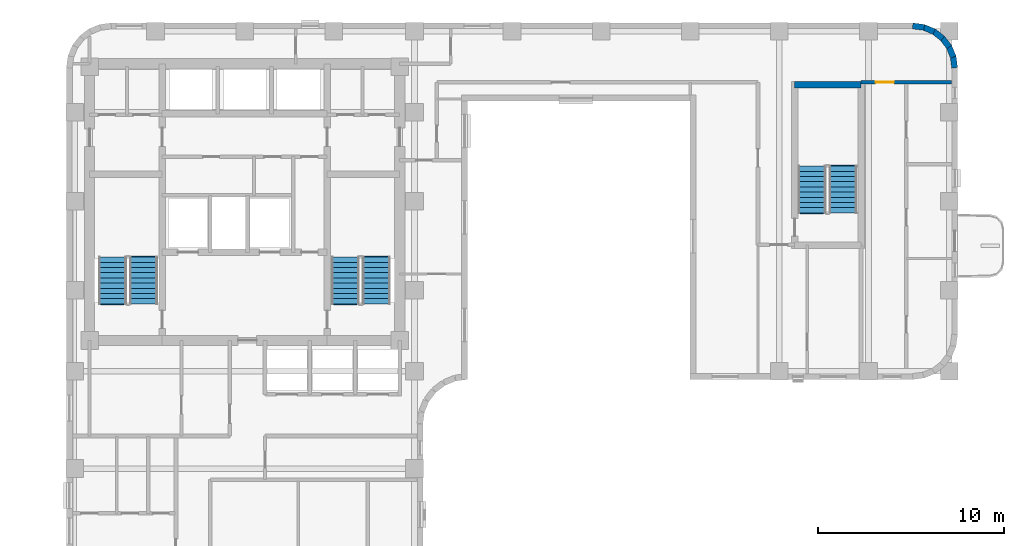
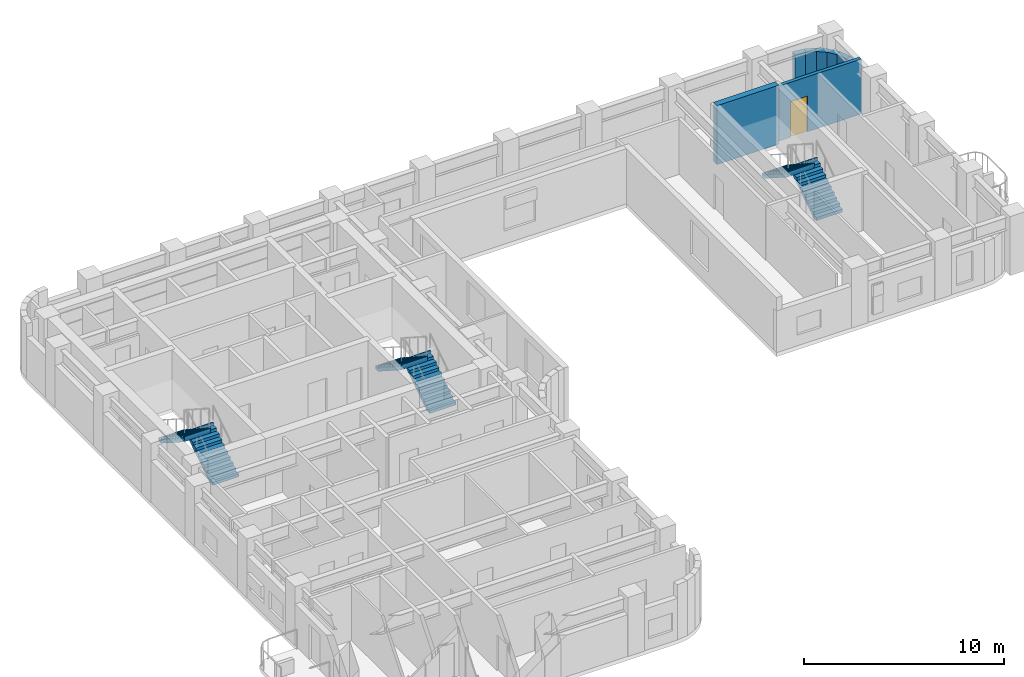
# One storey, part 7 of 10: 8 walls, 6 stair flights, 1 door, 1 opening, 3 elements without a shape of their own.
"""IFC4 building model written with IfcOpenShell, lengths in metres."""

from ifc_helpers import new_model, si_unit, direction, frame, frame_2d, origin, place, context, subcontext, project, spatial, polyline, rectangle, outline, extrude, material, layer, layer_set, type_object, element, fill, aggregate, save


model = new_model("IFC4")

# Units and contexts
model_context = context("Model", 3, precision=1e-05, world=origin(), true_north=direction((0.0, 1.0)))
body_context = subcontext(model_context, "Body", "Model", "MODEL_VIEW")
ifc_project = project(units=[si_unit("LENGTHUNIT", "METRE"), si_unit("AREAUNIT", "SQUARE_METRE"), si_unit("VOLUMEUNIT", "CUBIC_METRE"), si_unit("PLANEANGLEUNIT", "RADIAN"), si_unit("MASSUNIT", "GRAM", prefix="KILO")], contexts=[model_context])

# Site, building, storey
site_placement = place(None, origin())
site = spatial("IfcSite", under=ifc_project, at=site_placement, CompositionType="ELEMENT")
building_placement = place(site_placement, origin())
building = spatial("IfcBuilding", under=site, at=building_placement, Name="Orvandelia Arch Residences", CompositionType="ELEMENT")
storey_placement = place(building_placement, frame((0.0, 0.0, 179.199951171875)))
storey = spatial("IfcBuildingStorey", under=building, at=storey_placement, Name="L47", CompositionType="ELEMENT", Elevation=179.199951171875)

# Wall
ifc_material_1 = material(Name="Concrete C50/60", Category="concrete")
ifc_layer_1 = layer(ifc_material_1, 0.35009765625, Name="Concrete C50/60", Category="concrete")
ifc_layer_set_1 = layer_set([ifc_layer_1], Name="Concrete C50/60")
wall_type_1 = type_object("IfcWallType", Name="WL-CORE-350", PredefinedType="SHEAR", material=ifc_layer_set_1)
wall_1_placement = place(storey_placement, frame((44.02001953125, 44.659912109375, 0.0), z_axis=(0.0, 0.0, 1.0), x_axis=(1.0, 0.0, 0.0)))
element("IfcWall", 1, at=wall_1_placement, inside=storey, type_object=wall_type_1, Name="East Stair Core Shear Wall L47-N", PredefinedType="SHEAR", context=body_context, shape_type="SweptSolid", body=[
    extrude(rectangle(XDim=3.580078125, YDim=0.35009765625, at=frame_2d((1.7900390625, 0.0))), origin(), (0.0, 0.0, 1.0), 3.60009765625),
])

# Wall, opening, door
ifc_material_2 = material(Name="Fire-Rated Corridor Partition")
ifc_layer_2 = layer(ifc_material_2, 0.199951171875, Name="Fire-Rated Corridor Partition")
ifc_layer_set_2 = layer_set([ifc_layer_2], Name="Fire-Rated Corridor Partition")
wall_type_2 = type_object("IfcWallType", Name="WL-CORR-200", PredefinedType="PARTITIONING", material=ifc_layer_set_2)
wall_2_placement = place(storey_placement, frame((47.60009765625, 44.800048828125, 0.0), z_axis=(0.0, 0.0, 1.0), x_axis=(1.0, 0.0, 0.0)))
wall_2 = element("IfcWall", 2, at=wall_2_placement, inside=storey, type_object=wall_type_2, Name="Interior Partition Wall WL-L47-ENP-S2", PredefinedType="PARTITIONING", context=body_context, shape_type="SweptSolid", body=[
    extrude(rectangle(XDim=4.8798828125, YDim=0.199951171875, at=frame_2d((2.43994140625, 0.0))), origin(), (0.0, 0.0, 1.0), 3.360107421875),
])
opening_placement = place(wall_2_placement, frame((0.79150390625, 0.0, 0.0)))
opening = element("IfcOpeningElement", 3, at=opening_placement, cuts=wall_2, Name="Opening D1", PredefinedType="OPENING", context=body_context, shape_type="SweptSolid", body=[
    extrude(rectangle(XDim=0.97998046875, YDim=2.179931640625, at=frame_2d((0.489990234375, 1.08984375))), frame((0.0, 0.10986328125, 0.0), z_axis=(0.0, -1.0, 0.0), x_axis=(1.0, 0.0, 0.0)), (0.0, 0.0, 1.0), 0.219970703125),
])
ifc_material_3 = material(Name="Solid-Core Timber Acoustic Fire Door", Category="wood")
door_type = type_object("IfcDoorType", Name="DR-ENT-980", OperationType="NOTDEFINED", PredefinedType="DOOR", material=ifc_material_3)
door_placement = place(opening_placement, origin())
door = element("IfcDoor", 4, at=door_placement, inside=storey, type_object=door_type, Name="Unit L47-05 Entrance Door", OperationType="SINGLE_SWING_LEFT", OverallHeight=2.179931640625, OverallWidth=0.97998046875, PredefinedType="DOOR", context=body_context, shape_type="SweptSolid", body=[
    extrude(rectangle(XDim=0.97998046875, YDim=2.179931640625, at=frame_2d((0.489990234375, 1.08984375))), frame((0.0, 0.02490234375, 0.0), z_axis=(0.0, -1.0, 0.0), x_axis=(1.0, 0.0, 0.0)), (0.0, 0.0, 1.0), 0.050048828125),
])
fill(opening, door)

# Walls
ifc_material_4 = material(Name="Precast concrete C40/50", Category="concrete")
ifc_layer_3 = layer(ifc_material_4, 0.320068359375, Name="Precast concrete C40/50", Category="concrete")
ifc_layer_set_3 = layer_set([ifc_layer_3], Name="Precast concrete C40/50")
wall_type_3 = type_object("IfcWallType", Name="WL-EXT-STONE-320", PredefinedType="STANDARD", material=ifc_layer_set_3)
for number, where, z_axis, x_axis, name in (
    (5, (50.379150390625, 47.84130859375, 0.0), (0.0, 0.0, 1.0), (0.9914410257, -0.130555323746, 0.0), "Coral-Limestone Precast Facade Wall L47-008"),
    (6, (50.9599609375, 47.7705078125, 0.0), (0.0, 0.0, 1.0), (0.92389335771, -0.382650053678, 0.0), "Coral-Limestone Precast Facade Wall L47-009"),
    (7, (51.502685546875, 47.551513671875, 0.0), (0.0, 0.0, 1.0), (0.793405610854, -0.608693302629, 0.0), "Coral-Limestone Precast Facade Wall L47-010"),
    (8, (51.97021484375, 47.19970703125, 0.0), (0.0, 0.0, 1.0), (0.608693302629, -0.793405610854, 0.0), "Coral-Limestone Precast Facade Wall L47-011"),
    (9, (52.330810546875, 46.73876953125, 0.0), (0.0, 0.0, 1.0), (0.382317370307, -0.924031075431, 0.0), "Coral-Limestone Precast Facade Wall L47-012"),
    (10, (52.5595703125, 46.2001953125, 0.0), (0.0, 0.0, 1.0), (0.130555323746, -0.9914410257, 0.0), "Coral-Limestone Precast Facade Wall L47-013"),
):
    element("IfcWall", number, at=place(storey_placement, frame(where, z_axis=z_axis, x_axis=x_axis)), inside=storey, type_object=wall_type_3, Name=name, PredefinedType="STANDARD", context=body_context, shape_type="SweptSolid", body=[
        extrude(rectangle(XDim=0.62646484375, YDim=0.320068359375, at=frame_2d((0.313232421875, 0.0))), origin(), (0.0, 0.0, 1.0), 2.5400390625),
    ])

# Stair, stair flights
ifc_material_5 = material(Name="Concrete C40/50", Category="concrete")
stair_type = type_object("IfcStairType", Name="STAIR-RC-DOGLEG", PredefinedType="HALF_TURN_STAIR", material=ifc_material_5)
stair_1_placement = place(storey_placement, origin())
stair_1 = element("IfcStair", 11, at=stair_1_placement, inside=storey, type_object=stair_type, Name="L47 Protected Exit Stair ST-1", PredefinedType="HALF_TURN_STAIR")
stair_flight_type = type_object("IfcStairFlightType", Name="STFLT-RC-1520", PredefinedType="STRAIGHT", material=ifc_material_5)
stair_flight_1_placement = place(storey_placement, frame((8.9599609375, 32.8701171875, 0.0), z_axis=(0.0, 0.0, 1.0), x_axis=(0.0, 1.0, 0.0)))
stair_flight_1 = element("IfcStairFlight", 12, at=stair_flight_1_placement, type_object=stair_flight_type, Name="ST-1 flight 1", NumberOfRisers=10, NumberOfTreads=9, PredefinedType="STRAIGHT", RiserHeight=0.18, TreadLength=0.28, context=body_context, shape_type="SweptSolid", body=[
    extrude(outline(polyline([(0.0, 0.0), (0.0, 0.179931640625), (0.280029296875, 0.179931640625), (0.280029296875, 0.360107421875), (0.56005859375, 0.360107421875), (0.56005859375, 0.5400390625), (0.840087890625, 0.5400390625), (0.840087890625, 0.719970703125), (1.1201171875, 0.719970703125), (1.1201171875, 0.89990234375), (1.39990234375, 0.89990234375), (1.39990234375, 1.080078125), (1.679931640625, 1.080078125), (1.679931640625, 1.260009765625), (1.9599609375, 1.260009765625), (1.9599609375, 1.43994140625), (2.239990234375, 1.43994140625), (2.239990234375, 1.6201171875), (2.52001953125, 1.6201171875), (2.52001953125, 1.800048828125), (2.580078125, 1.800048828125), (2.580078125, 1.6201171875), (2.52001953125, 1.44189453125), (0.277099609375, 0.0), (0.0, 0.0)])), frame((0.0, 0.760009765625, 0.0), z_axis=(0.0, -1.0, 0.0), x_axis=(1.0, 0.0, 0.0)), (0.0, 0.0, 1.0), 1.52001953125),
])
stair_flight_2_placement = place(storey_placement, frame((7.2900390625, 35.389892578125, 1.800048828125), z_axis=(0.0, 0.0, 1.0), x_axis=(0.0, -1.0, 0.0)))
stair_flight_2 = element("IfcStairFlight", 13, at=stair_flight_2_placement, type_object=stair_flight_type, Name="ST-1 flight 2", NumberOfRisers=10, NumberOfTreads=9, PredefinedType="STRAIGHT", RiserHeight=0.18, TreadLength=0.28, context=body_context, shape_type="SweptSolid", body=[
    extrude(outline(polyline([(0.0, 0.0), (0.0, 0.179931640625), (0.280029296875, 0.179931640625), (0.280029296875, 0.360107421875), (0.56005859375, 0.360107421875), (0.56005859375, 0.5400390625), (0.840087890625, 0.5400390625), (0.840087890625, 0.719970703125), (1.1201171875, 0.719970703125), (1.1201171875, 0.89990234375), (1.39990234375, 0.89990234375), (1.39990234375, 1.080078125), (1.679931640625, 1.080078125), (1.679931640625, 1.260009765625), (1.9599609375, 1.260009765625), (1.9599609375, 1.43994140625), (2.239990234375, 1.43994140625), (2.239990234375, 1.6201171875), (2.52001953125, 1.6201171875), (2.52001953125, 1.800048828125), (2.580078125, 1.800048828125), (2.580078125, 1.6201171875), (2.52001953125, 1.44189453125), (0.277099609375, 0.0), (0.0, 0.0)])), frame((0.0, 0.760009765625, 0.0), z_axis=(0.0, -1.0, 0.0), x_axis=(1.0, 0.0, 0.0)), (0.0, 0.0, 1.0), 1.52001953125),
])
aggregate(stair_1, [stair_flight_1, stair_flight_2])

stair_2_placement = place(storey_placement, origin())
stair_2 = element("IfcStair", 14, at=stair_2_placement, inside=storey, type_object=stair_type, Name="L47 Protected Exit Stair ST-2", PredefinedType="HALF_TURN_STAIR")
stair_flight_3_placement = place(storey_placement, frame((21.489990234375, 32.8701171875, 0.0), z_axis=(0.0, 0.0, 1.0), x_axis=(0.0, 1.0, 0.0)))
stair_flight_3 = element("IfcStairFlight", 15, at=stair_flight_3_placement, type_object=stair_flight_type, Name="ST-2 flight 1", NumberOfRisers=10, NumberOfTreads=9, PredefinedType="STRAIGHT", RiserHeight=0.18, TreadLength=0.28, context=body_context, shape_type="SweptSolid", body=[
    extrude(outline(polyline([(0.0, 0.0), (0.0, 0.179931640625), (0.280029296875, 0.179931640625), (0.280029296875, 0.360107421875), (0.56005859375, 0.360107421875), (0.56005859375, 0.5400390625), (0.840087890625, 0.5400390625), (0.840087890625, 0.719970703125), (1.1201171875, 0.719970703125), (1.1201171875, 0.89990234375), (1.39990234375, 0.89990234375), (1.39990234375, 1.080078125), (1.679931640625, 1.080078125), (1.679931640625, 1.260009765625), (1.9599609375, 1.260009765625), (1.9599609375, 1.43994140625), (2.239990234375, 1.43994140625), (2.239990234375, 1.6201171875), (2.52001953125, 1.6201171875), (2.52001953125, 1.800048828125), (2.580078125, 1.800048828125), (2.580078125, 1.6201171875), (2.52001953125, 1.44189453125), (0.277099609375, 0.0), (0.0, 0.0)])), frame((0.0, 0.760009765625, 0.0), z_axis=(0.0, -1.0, 0.0), x_axis=(1.0, 0.0, 0.0)), (0.0, 0.0, 1.0), 1.52001953125),
])
stair_flight_4_placement = place(storey_placement, frame((19.820068359375, 35.389892578125, 1.800048828125), z_axis=(0.0, 0.0, 1.0), x_axis=(0.0, -1.0, 0.0)))
stair_flight_4 = element("IfcStairFlight", 16, at=stair_flight_4_placement, type_object=stair_flight_type, Name="ST-2 flight 2", NumberOfRisers=10, NumberOfTreads=9, PredefinedType="STRAIGHT", RiserHeight=0.18, TreadLength=0.28, context=body_context, shape_type="SweptSolid", body=[
    extrude(outline(polyline([(0.0, 0.0), (0.0, 0.179931640625), (0.280029296875, 0.179931640625), (0.280029296875, 0.360107421875), (0.56005859375, 0.360107421875), (0.56005859375, 0.5400390625), (0.840087890625, 0.5400390625), (0.840087890625, 0.719970703125), (1.1201171875, 0.719970703125), (1.1201171875, 0.89990234375), (1.39990234375, 0.89990234375), (1.39990234375, 1.080078125), (1.679931640625, 1.080078125), (1.679931640625, 1.260009765625), (1.9599609375, 1.260009765625), (1.9599609375, 1.43994140625), (2.239990234375, 1.43994140625), (2.239990234375, 1.6201171875), (2.52001953125, 1.6201171875), (2.52001953125, 1.800048828125), (2.580078125, 1.800048828125), (2.580078125, 1.6201171875), (2.52001953125, 1.44189453125), (0.277099609375, 0.0), (0.0, 0.0)])), frame((0.0, 0.760009765625, 0.0), z_axis=(0.0, -1.0, 0.0), x_axis=(1.0, 0.0, 0.0)), (0.0, 0.0, 1.0), 1.52001953125),
])
aggregate(stair_2, [stair_flight_3, stair_flight_4])

stair_3_placement = place(storey_placement, origin())
stair_3 = element("IfcStair", 17, at=stair_3_placement, inside=storey, type_object=stair_type, Name="L47 East Wing Exit Stair ST-3", PredefinedType="HALF_TURN_STAIR")
stair_flight_5_placement = place(storey_placement, frame((46.639892578125, 37.77001953125, 0.0), z_axis=(0.0, 0.0, 1.0), x_axis=(0.0, 1.0, 0.0)))
stair_flight_5 = element("IfcStairFlight", 18, at=stair_flight_5_placement, type_object=stair_flight_type, Name="ST-3 flight 1", NumberOfRisers=10, NumberOfTreads=9, PredefinedType="STRAIGHT", RiserHeight=0.18, TreadLength=0.28, context=body_context, shape_type="SweptSolid", body=[
    extrude(outline(polyline([(0.0, 0.0), (0.0, 0.179931640625), (0.280029296875, 0.179931640625), (0.280029296875, 0.360107421875), (0.56005859375, 0.360107421875), (0.56005859375, 0.5400390625), (0.840087890625, 0.5400390625), (0.840087890625, 0.719970703125), (1.1201171875, 0.719970703125), (1.1201171875, 0.89990234375), (1.39990234375, 0.89990234375), (1.39990234375, 1.080078125), (1.679931640625, 1.080078125), (1.679931640625, 1.260009765625), (1.9599609375, 1.260009765625), (1.9599609375, 1.43994140625), (2.239990234375, 1.43994140625), (2.239990234375, 1.6201171875), (2.52001953125, 1.6201171875), (2.52001953125, 1.800048828125), (2.580078125, 1.800048828125), (2.580078125, 1.6201171875), (2.52001953125, 1.44189453125), (0.277099609375, 0.0), (0.0, 0.0)])), frame((0.0, 0.760009765625, 0.0), z_axis=(0.0, -1.0, 0.0), x_axis=(1.0, 0.0, 0.0)), (0.0, 0.0, 1.0), 1.52001953125),
])
stair_flight_6_placement = place(storey_placement, frame((44.969970703125, 40.2900390625, 1.800048828125), z_axis=(0.0, 0.0, 1.0), x_axis=(0.0, -1.0, 0.0)))
stair_flight_6 = element("IfcStairFlight", 19, at=stair_flight_6_placement, type_object=stair_flight_type, Name="ST-3 flight 2", NumberOfRisers=10, NumberOfTreads=9, PredefinedType="STRAIGHT", RiserHeight=0.18, TreadLength=0.28, context=body_context, shape_type="SweptSolid", body=[
    extrude(outline(polyline([(0.0, 0.0), (0.0, 0.179931640625), (0.280029296875, 0.179931640625), (0.280029296875, 0.360107421875), (0.56005859375, 0.360107421875), (0.56005859375, 0.5400390625), (0.840087890625, 0.5400390625), (0.840087890625, 0.719970703125), (1.1201171875, 0.719970703125), (1.1201171875, 0.89990234375), (1.39990234375, 0.89990234375), (1.39990234375, 1.080078125), (1.679931640625, 1.080078125), (1.679931640625, 1.260009765625), (1.9599609375, 1.260009765625), (1.9599609375, 1.43994140625), (2.239990234375, 1.43994140625), (2.239990234375, 1.6201171875), (2.52001953125, 1.6201171875), (2.52001953125, 1.800048828125), (2.580078125, 1.800048828125), (2.580078125, 1.6201171875), (2.52001953125, 1.44189453125), (0.277099609375, 0.0), (0.0, 0.0)])), frame((0.0, 0.760009765625, 0.0), z_axis=(0.0, -1.0, 0.0), x_axis=(1.0, 0.0, 0.0)), (0.0, 0.0, 1.0), 1.52001953125),
])
aggregate(stair_3, [stair_flight_5, stair_flight_6])

save(model, "model.ifc")
